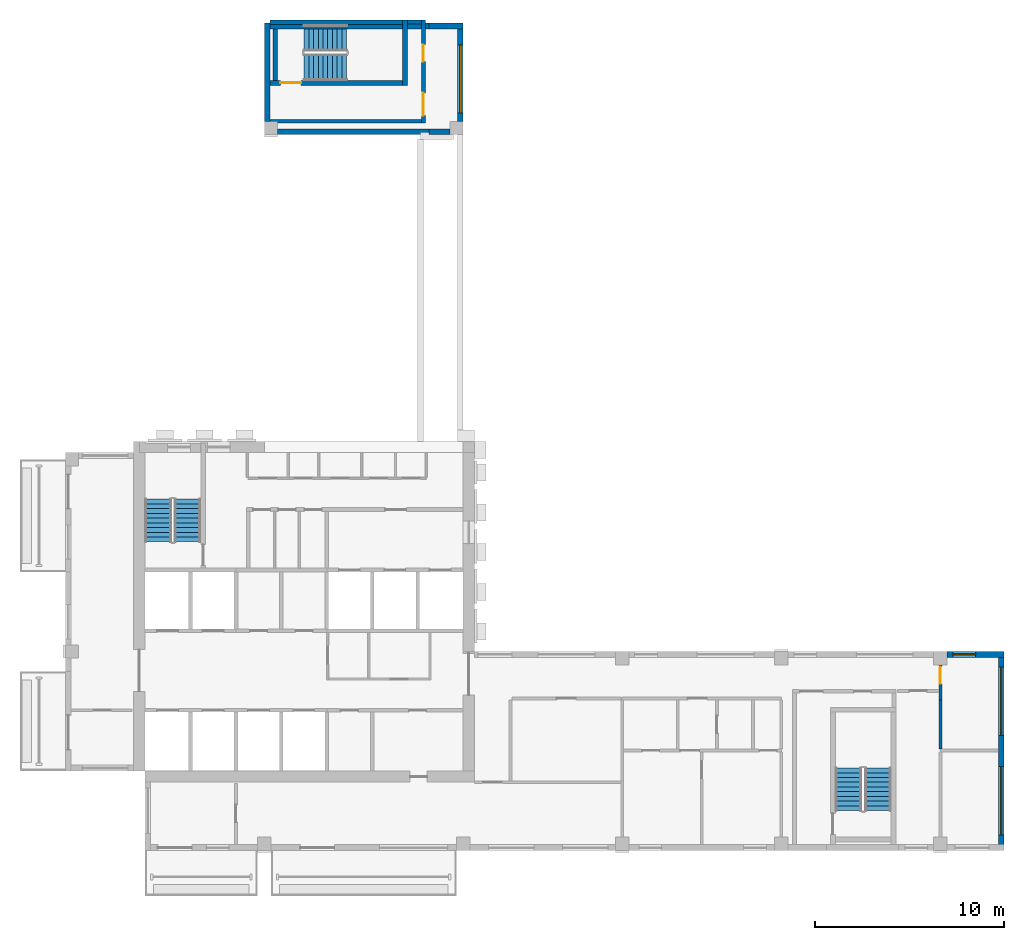
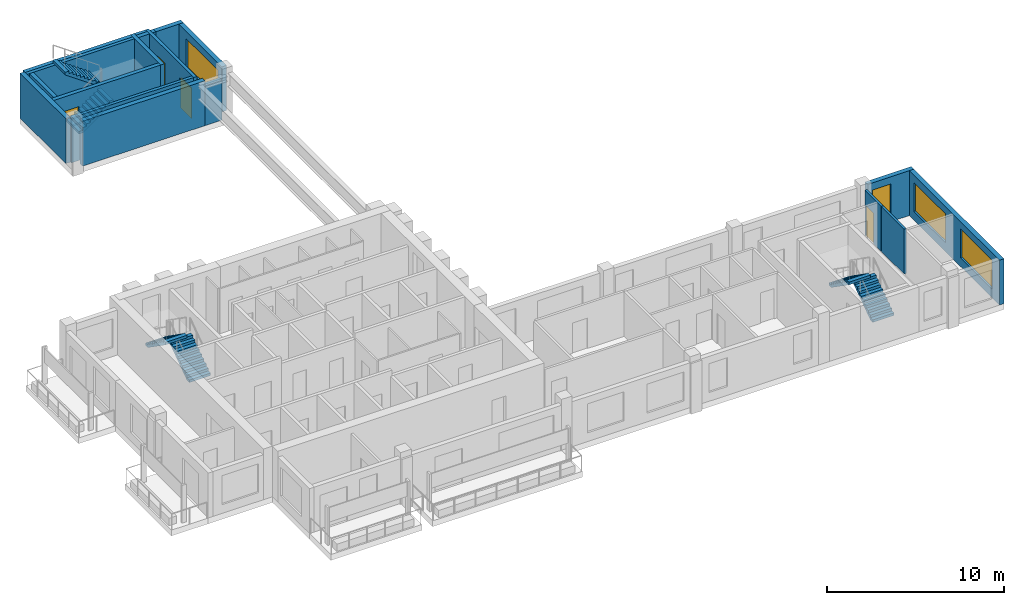
# One storey, part 5 of 9: 17 walls, 6 stair flights, 4 doors, 4 windows, 8 openings, 3 elements without a shape of their own.
"""IFC4 building model written with IfcOpenShell, lengths in metres."""

from ifc_helpers import new_model, si_unit, direction, frame, frame_2d, origin, place, context, subcontext, project, spatial, polyline, rectangle, outline, extrude, source, transform, mapped, material, layer, layer_set, type_object, element, fill, aggregate, save


model = new_model("IFC4")

# Units and contexts
model_context = context("Model", 3, precision=1e-05, world=origin(), true_north=direction((0.0, 1.0)))
body_context = subcontext(model_context, "Body", "Model", "MODEL_VIEW")
ifc_project = project(units=[si_unit("LENGTHUNIT", "METRE"), si_unit("AREAUNIT", "SQUARE_METRE"), si_unit("VOLUMEUNIT", "CUBIC_METRE"), si_unit("PLANEANGLEUNIT", "RADIAN"), si_unit("MASSUNIT", "GRAM", prefix="KILO")], contexts=[model_context])

# Site, building, storey
site_placement = place(None, origin())
site = spatial("IfcSite", under=ifc_project, at=site_placement, CompositionType="ELEMENT")
building_placement = place(site_placement, origin())
building = spatial("IfcBuilding", under=site, at=building_placement, Name="Aurelian Terraces", CompositionType="ELEMENT")
storey_placement = place(building_placement, frame((0.0, 0.0, 312.5)))
storey = spatial("IfcBuildingStorey", under=building, at=storey_placement, Name="L72", CompositionType="ELEMENT", Elevation=312.5)

# Walls
ifc_material_1 = material(Name="Terracotta rainscreen cladding", Category="masonry")
ifc_layer_1 = layer(ifc_material_1, 0.3)
ifc_layer_set_1 = layer_set([ifc_layer_1], Name="EW-300")
wall_type_1 = type_object("IfcWallType", Name="EW-300", PredefinedType="STANDARD", material=ifc_layer_set_1)
wall_1_placement = place(storey_placement, frame((19.2, 37.95, 0.0), z_axis=(0.0, 0.0, 1.0), x_axis=(1.0, 0.0, 0.0)))
element("IfcWall", 1, at=wall_1_placement, inside=storey, type_object=wall_type_1, Name="External wall L72 F15.23", PredefinedType="STANDARD", context=body_context, shape_type="SweptSolid", body=[
    extrude(rectangle(XDim=1.1, YDim=0.3, at=frame_2d((0.55, 0.0))), origin(), (0.0, 0.0, 1.0), 2.7438),
])
ifc_material_2 = material(Name="Gypsum board on steel studs", Category="steel")
ifc_layer_2 = layer(ifc_material_2, 0.15)
ifc_layer_set_2 = layer_set([ifc_layer_2], Name="Fire partition 150")
wall_type_2 = type_object("IfcWallType", Name="Fire partition 150", PredefinedType="PARTITIONING", material=ifc_layer_set_2)
wall_2_placement = place(storey_placement, frame((46.2, 5.35, 0.0), z_axis=(0.0, 0.0, 1.0), x_axis=(0.0, 1.0, 0.0)))
element("IfcWall", 2, at=wall_2_placement, inside=storey, type_object=wall_type_2, Name="Party wall", PredefinedType="PARTITIONING", context=body_context, shape_type="SweptSolid", body=[
    extrude(rectangle(XDim=2.58, YDim=0.15, at=frame_2d((1.29, 0.0))), origin(), (0.0, 0.0, 1.0), 3.1),
])

# Wall, opening, window
shared_shape_1 = source(origin(), body_context, "Body", "SweptSolid", [
    extrude(rectangle(XDim=3.01, YDim=0.3, at=frame_2d((1.505, 0.0))), origin(), (0.0, 0.0, 1.0), 3.1),
])
wall_3_placement = place(storey_placement, frame((49.56, 10.35, 0.0), z_axis=(0.0, 0.0, 1.0), x_axis=(-1.0, 0.0, 0.0)))
wall_3 = element("IfcWall", 3, at=wall_3_placement, inside=storey, type_object=wall_type_1, Name="External wall L72 F03.8", PredefinedType="STANDARD", context=body_context, shape_type="MappedRepresentation", body=[
    mapped(shared_shape_1, transform((0.0, 0.0, 0.0), scale=1.0)),
])
shared_shape_2 = source(origin(), body_context, "Body", "SweptSolid", [
    extrude(rectangle(XDim=1.2, YDim=2.0, at=frame_2d((0.6, 1.0))), frame((0.0, 0.16, 0.0), z_axis=(0.0, -1.0, 0.0), x_axis=(1.0, 0.0, 0.0)), (0.0, 0.0, 1.0), 0.32),
])
opening_1_placement = place(wall_3_placement, frame((1.5, 0.0, 0.6)))
opening_1 = element("IfcOpeningElement", 4, at=opening_1_placement, cuts=wall_3, Name="Opening W1220", PredefinedType="OPENING", context=body_context, shape_type="MappedRepresentation", body=[
    mapped(shared_shape_2, transform((0.0, 0.0, 0.0), scale=1.0)),
])
ifc_material_3 = material(Name="Clear glazing", Category="glass")
window_type_1 = type_object("IfcWindowType", Name="W-1200x2000", PartitioningType="SINGLE_PANEL", PredefinedType="WINDOW", material=ifc_material_3)
shared_shape_3 = source(origin(), body_context, "Body", "SweptSolid", [
    extrude(rectangle(XDim=1.2, YDim=2.0, at=frame_2d((0.6, 1.0))), frame((0.0, 0.03, 0.0), z_axis=(0.0, -1.0, 0.0), x_axis=(1.0, 0.0, 0.0)), (0.0, 0.0, 1.0), 0.06),
])
window_1_placement = place(opening_1_placement, origin())
window_1 = element("IfcWindow", 5, at=window_1_placement, inside=storey, type_object=window_type_1, Name="Window L72 L72-F03-08-0", OverallHeight=2.0, OverallWidth=1.2, PartitioningType="SINGLE_PANEL", PredefinedType="WINDOW", context=body_context, shape_type="MappedRepresentation", body=[
    mapped(shared_shape_3, transform((0.0, 0.0, 0.0), scale=1.0)),
])
fill(opening_1, window_1)

# Wall, openings, windows
shared_shape_4 = source(origin(), body_context, "Body", "SweptSolid", [
    extrude(rectangle(XDim=10.5, YDim=0.3, at=frame_2d((5.25, 0.0))), origin(), (0.0, 0.0, 1.0), 3.1),
])
wall_4_placement = place(storey_placement, frame((49.41, 0.0, 0.0), z_axis=(0.0, 0.0, 1.0), x_axis=(0.0, 1.0, 0.0)))
wall_4 = element("IfcWall", 6, at=wall_4_placement, inside=storey, type_object=wall_type_1, Name="External wall L72 F02.7", PredefinedType="STANDARD", context=body_context, shape_type="MappedRepresentation", body=[
    mapped(shared_shape_4, transform((0.0, 0.0, 0.0), scale=1.0)),
])
shared_shape_5 = source(origin(), body_context, "Body", "SweptSolid", [
    extrude(rectangle(XDim=3.6, YDim=2.0, at=frame_2d((1.8, 1.0))), frame((0.0, 0.16, 0.0), z_axis=(0.0, -1.0, 0.0), x_axis=(1.0, 0.0, 0.0)), (0.0, 0.0, 1.0), 0.32),
])
opening_2_placement = place(wall_4_placement, frame((0.825, 0.0, 0.6)))
opening_2 = element("IfcOpeningElement", 7, at=opening_2_placement, cuts=wall_4, Name="Opening W3620", PredefinedType="OPENING", context=body_context, shape_type="MappedRepresentation", body=[
    mapped(shared_shape_5, transform((0.0, 0.0, 0.0), scale=1.0)),
])
opening_3_placement = place(wall_4_placement, frame((6.075, 0.0, 0.6)))
opening_3 = element("IfcOpeningElement", 8, at=opening_3_placement, cuts=wall_4, Name="Opening W3620", PredefinedType="OPENING", context=body_context, shape_type="MappedRepresentation", body=[
    mapped(shared_shape_5, transform((0.0, 0.0, 0.0), scale=1.0)),
])
window_type_2 = type_object("IfcWindowType", Name="W-3600x2000", PartitioningType="SINGLE_PANEL", PredefinedType="WINDOW", material=ifc_material_3)
shared_shape_6 = source(origin(), body_context, "Body", "SweptSolid", [
    extrude(rectangle(XDim=3.6, YDim=2.0, at=frame_2d((1.8, 1.0))), frame((0.0, 0.03, 0.0), z_axis=(0.0, -1.0, 0.0), x_axis=(1.0, 0.0, 0.0)), (0.0, 0.0, 1.0), 0.06),
])
window_2_placement = place(opening_2_placement, origin())
window_2 = element("IfcWindow", 9, at=window_2_placement, inside=storey, type_object=window_type_2, Name="Window L72 L72-F02-07-0", OverallHeight=2.0, OverallWidth=3.6, PartitioningType="SINGLE_PANEL", PredefinedType="WINDOW", context=body_context, shape_type="MappedRepresentation", body=[
    mapped(shared_shape_6, transform((0.0, 0.0, 0.0), scale=1.0)),
])
fill(opening_2, window_2)
window_3_placement = place(opening_3_placement, origin())
window_3 = element("IfcWindow", 10, at=window_3_placement, inside=storey, type_object=window_type_2, Name="Window L72 L72-F02-07-1", OverallHeight=2.0, OverallWidth=3.6, PartitioningType="SINGLE_PANEL", PredefinedType="WINDOW", context=body_context, shape_type="MappedRepresentation", body=[
    mapped(shared_shape_6, transform((0.0, 0.0, 0.0), scale=1.0)),
])
fill(opening_3, window_3)

# Walls
shared_shape_7 = source(origin(), body_context, "Body", "SweptSolid", [
    extrude(rectangle(XDim=1.8, YDim=0.3, at=frame_2d((0.9, 0.0))), origin(), (0.0, 0.0, 1.0), 3.1),
])
wall_5_placement = place(storey_placement, frame((21.0, 43.53, 0.0), z_axis=(0.0, 0.0, 1.0), x_axis=(-1.0, 0.0, 0.0)))
element("IfcWall", 11, at=wall_5_placement, inside=storey, type_object=wall_type_1, Name="External wall L72 F17.25", PredefinedType="STANDARD", context=body_context, shape_type="MappedRepresentation", body=[
    mapped(shared_shape_7, transform((0.0, 0.0, 0.0), scale=1.0)),
])
ifc_material_4 = material(Name="Concrete fc' 40 MPa", Category="concrete")
ifc_layer_3 = layer(ifc_material_4, 0.3)
ifc_layer_set_3 = layer_set([ifc_layer_3], Name="STAIR BAY WALL 300")
wall_type_3 = type_object("IfcWallType", Name="STAIR BAY WALL 300", PredefinedType="SOLIDWALL", material=ifc_layer_set_3)
shared_shape_8 = source(origin(), body_context, "Body", "SweptSolid", [
    extrude(rectangle(XDim=8.6, YDim=0.3, at=frame_2d((4.3, 0.0))), origin(), (0.0, 0.0, 1.0), 3.1),
])
wall_6_placement = place(storey_placement, frame((19.2, 43.53, 0.0), z_axis=(0.0, 0.0, 1.0), x_axis=(-1.0, 0.0, 0.0)))
element("IfcWall", 12, at=wall_6_placement, inside=storey, type_object=wall_type_3, Name="Stair bay wall L72 F17.25", PredefinedType="SOLIDWALL", context=body_context, shape_type="MappedRepresentation", body=[
    mapped(shared_shape_8, transform((0.0, 0.0, 0.0), scale=1.0)),
])
shared_shape_9 = source(origin(), body_context, "Body", "SweptSolid", [
    extrude(rectangle(XDim=8.0, YDim=0.3, at=frame_2d((4.0, 0.0))), origin(), (0.0, 0.0, 1.0), 3.1),
])
wall_7_placement = place(storey_placement, frame((11.2, 37.95, 0.0), z_axis=(0.0, 0.0, 1.0), x_axis=(1.0, 0.0, 0.0)))
element("IfcWall", 13, at=wall_7_placement, inside=storey, type_object=wall_type_3, Name="Stair bay wall L72 F15.23", PredefinedType="SOLIDWALL", context=body_context, shape_type="MappedRepresentation", body=[
    mapped(shared_shape_9, transform((0.0, 0.0, 0.0), scale=1.0)),
])

# Wall, opening, window
shared_shape_10 = source(origin(), body_context, "Body", "SweptSolid", [
    extrude(rectangle(XDim=5.18, YDim=0.3, at=frame_2d((2.59, 0.0))), origin(), (0.0, 0.0, 1.0), 3.1),
])
wall_8_placement = place(storey_placement, frame((20.85, 38.5, 0.0), z_axis=(0.0, 0.0, 1.0), x_axis=(0.0, 1.0, 0.0)))
wall_8 = element("IfcWall", 14, at=wall_8_placement, inside=storey, type_object=wall_type_1, Name="External wall L72 F16.24", PredefinedType="STANDARD", context=body_context, shape_type="MappedRepresentation", body=[
    mapped(shared_shape_10, transform((0.0, 0.0, 0.0), scale=1.0)),
])
opening_4_placement = place(wall_8_placement, frame((0.44, 0.0, 0.6)))
opening_4 = element("IfcOpeningElement", 15, at=opening_4_placement, cuts=wall_8, Name="Opening W3620", PredefinedType="OPENING", context=body_context, shape_type="MappedRepresentation", body=[
    mapped(shared_shape_5, transform((0.0, 0.0, 0.0), scale=1.0)),
])
window_4_placement = place(opening_4_placement, origin())
window_4 = element("IfcWindow", 16, at=window_4_placement, inside=storey, type_object=window_type_2, Name="Window L72 L72-F16-24-0", OverallHeight=2.0, OverallWidth=3.6, PartitioningType="SINGLE_PANEL", PredefinedType="WINDOW", context=body_context, shape_type="MappedRepresentation", body=[
    mapped(shared_shape_6, transform((0.0, 0.0, 0.0), scale=1.0)),
])
fill(opening_4, window_4)

# Wall
shared_shape_11 = source(origin(), body_context, "Body", "SweptSolid", [
    extrude(rectangle(XDim=5.18, YDim=0.3, at=frame_2d((2.59, 0.0))), origin(), (0.0, 0.0, 1.0), 3.1),
])
wall_9_placement = place(storey_placement, frame((10.65, 43.68, 0.0), z_axis=(0.0, 0.0, 1.0), x_axis=(0.0, -1.0, 0.0)))
element("IfcWall", 17, at=wall_9_placement, inside=storey, type_object=wall_type_3, Name="Stair bay wall L72 F18.26", PredefinedType="SOLIDWALL", context=body_context, shape_type="MappedRepresentation", body=[
    mapped(shared_shape_11, transform((0.0, 0.0, 0.0), scale=1.0)),
])

# Wall, opening, door
ifc_layer_4 = layer(ifc_material_4, 0.25)
ifc_layer_set_4 = layer_set([ifc_layer_4], Name="Stair enclosure wall 250")
wall_type_4 = type_object("IfcWallType", Name="Stair enclosure wall 250", PredefinedType="SOLIDWALL", material=ifc_layer_set_4)
shared_shape_12 = source(origin(), body_context, "Body", "SweptSolid", [
    extrude(rectangle(XDim=7.0, YDim=0.25, at=frame_2d((3.5, 0.0))), origin(), (0.0, 0.0, 1.0), 3.1),
])
wall_10_placement = place(storey_placement, frame((10.8, 40.525, 0.0), z_axis=(0.0, 0.0, 1.0), x_axis=(1.0, 0.0, 0.0)))
wall_10 = element("IfcWall", 18, at=wall_10_placement, inside=storey, type_object=wall_type_4, Name="L72 core wall ST-S3U-W", PredefinedType="SOLIDWALL", context=body_context, shape_type="MappedRepresentation", body=[
    mapped(shared_shape_12, transform((0.0, 0.0, 0.0), scale=1.0)),
])
shared_shape_13 = source(origin(), body_context, "Body", "SweptSolid", [
    extrude(rectangle(XDim=1.1, YDim=2.1, at=frame_2d((0.55, 1.05))), frame((0.0, 0.135, 0.0), z_axis=(0.0, -1.0, 0.0), x_axis=(1.0, 0.0, 0.0)), (0.0, 0.0, 1.0), 0.27),
])
opening_5_placement = place(wall_10_placement, frame((0.55, 0.0, 0.0)))
opening_5 = element("IfcOpeningElement", 19, at=opening_5_placement, cuts=wall_10, Name="Opening 67528", PredefinedType="OPENING", context=body_context, shape_type="MappedRepresentation", body=[
    mapped(shared_shape_13, transform((0.0, 0.0, 0.0), scale=1.0)),
])
ifc_material_5 = material(Name="Steel door leaf", Category="steel")
door_type_1 = type_object("IfcDoorType", Name="Core fire door 1100x2100 right", OperationType="SINGLE_SWING_RIGHT", PredefinedType="DOOR", material=ifc_material_5)
shared_shape_14 = source(origin(), body_context, "Body", "SweptSolid", [
    extrude(rectangle(XDim=1.1, YDim=2.1, at=frame_2d((0.55, 1.05))), frame((0.0, 0.025, 0.0), z_axis=(0.0, -1.0, 0.0), x_axis=(1.0, 0.0, 0.0)), (0.0, 0.0, 1.0), 0.05),
])
door_1_placement = place(opening_5_placement, origin())
door_1 = element("IfcDoor", 20, at=door_1_placement, inside=storey, type_object=door_type_1, Name="Stair door 67528", OperationType="SINGLE_SWING_RIGHT", OverallHeight=2.1, OverallWidth=1.1, PredefinedType="DOOR", context=body_context, shape_type="MappedRepresentation", body=[
    mapped(shared_shape_14, transform((0.0, 0.0, 0.0), scale=1.0)),
])
fill(opening_5, door_1)

# Walls
wall_11_placement = place(storey_placement, frame((10.8, 43.725, 0.0), z_axis=(0.0, 0.0, 1.0), x_axis=(1.0, 0.0, 0.0)))
element("IfcWall", 21, at=wall_11_placement, inside=storey, type_object=wall_type_4, Name="L72 core wall ST-S3U-E", PredefinedType="SOLIDWALL", context=body_context, shape_type="MappedRepresentation", body=[
    mapped(shared_shape_12, transform((0.0, 0.0, 0.0), scale=1.0)),
])
shared_shape_15 = source(origin(), body_context, "Body", "SweptSolid", [
    extrude(rectangle(XDim=3.45, YDim=0.25, at=frame_2d((1.725, 0.0))), origin(), (0.0, 0.0, 1.0), 3.1),
])
wall_12_placement = place(storey_placement, frame((17.925, 40.4, 0.0), z_axis=(0.0, 0.0, 1.0), x_axis=(0.0, 1.0, 0.0)))
element("IfcWall", 22, at=wall_12_placement, inside=storey, type_object=wall_type_4, Name="L72 core wall ST-S3U-N", PredefinedType="SOLIDWALL", context=body_context, shape_type="MappedRepresentation", body=[
    mapped(shared_shape_15, transform((0.0, 0.0, 0.0), scale=1.0)),
])
ifc_layer_5 = layer(ifc_material_2, 0.2)
ifc_layer_set_5 = layer_set([ifc_layer_5], Name="Core partition 200")
wall_type_5 = type_object("IfcWallType", Name="Core partition 200", PredefinedType="PARTITIONING", material=ifc_layer_set_5)
shared_shape_16 = source(origin(), body_context, "Body", "SweptSolid", [
    extrude(rectangle(XDim=8.0, YDim=0.2, at=frame_2d((4.0, 0.0))), origin(), (0.0, 0.0, 1.0), 3.1),
])
wall_13_placement = place(storey_placement, frame((10.8, 38.5, 0.0), z_axis=(0.0, 0.0, 1.0), x_axis=(1.0, 0.0, 0.0)))
element("IfcWall", 23, at=wall_13_placement, inside=storey, type_object=wall_type_5, Name="L72 core wall ST-S3U-VW", PredefinedType="PARTITIONING", context=body_context, shape_type="MappedRepresentation", body=[
    mapped(shared_shape_16, transform((0.0, 0.0, 0.0), scale=1.0)),
])

# Wall, openings, doors
shared_shape_17 = source(origin(), body_context, "Body", "SweptSolid", [
    extrude(rectangle(XDim=5.45, YDim=0.2, at=frame_2d((2.725, 0.0))), origin(), (0.0, 0.0, 1.0), 3.1),
])
wall_14_placement = place(storey_placement, frame((18.9, 38.4, 0.0), z_axis=(0.0, 0.0, 1.0), x_axis=(0.0, 1.0, 0.0)))
wall_14 = element("IfcWall", 24, at=wall_14_placement, inside=storey, type_object=wall_type_5, Name="L72 core wall ST-S3U-BN", PredefinedType="PARTITIONING", context=body_context, shape_type="MappedRepresentation", body=[
    mapped(shared_shape_17, transform((0.0, 0.0, 0.0), scale=1.0)),
])
shared_shape_18 = source(origin(), body_context, "Body", "SweptSolid", [
    extrude(rectangle(XDim=1.2, YDim=2.1, at=frame_2d((0.6, 1.05))), frame((0.0, 0.11, 0.0), z_axis=(0.0, -1.0, 0.0), x_axis=(1.0, 0.0, 0.0)), (0.0, 0.0, 1.0), 0.22),
])
opening_6_placement = place(wall_14_placement, frame((0.4, 0.0, 0.0)))
opening_6 = element("IfcOpeningElement", 25, at=opening_6_placement, cuts=wall_14, Name="Opening 67529", PredefinedType="OPENING", context=body_context, shape_type="MappedRepresentation", body=[
    mapped(shared_shape_18, transform((0.0, 0.0, 0.0), scale=1.0)),
])
shared_shape_19 = source(origin(), body_context, "Body", "SweptSolid", [
    extrude(rectangle(XDim=0.9, YDim=2.1, at=frame_2d((0.45, 1.05))), frame((0.0, 0.11, 0.0), z_axis=(0.0, -1.0, 0.0), x_axis=(1.0, 0.0, 0.0)), (0.0, 0.0, 1.0), 0.22),
])
opening_7_placement = place(wall_14_placement, frame((3.25, 0.0, 0.0)))
opening_7 = element("IfcOpeningElement", 26, at=opening_7_placement, cuts=wall_14, Name="Opening 67530", PredefinedType="OPENING", context=body_context, shape_type="MappedRepresentation", body=[
    mapped(shared_shape_19, transform((0.0, 0.0, 0.0), scale=1.0)),
])
door_type_2 = type_object("IfcDoorType", Name="Core riser door 900x2100 right", OperationType="SINGLE_SWING_RIGHT", PredefinedType="DOOR", material=ifc_material_5)
shared_shape_20 = source(origin(), body_context, "Body", "SweptSolid", [
    extrude(rectangle(XDim=0.9, YDim=2.1, at=frame_2d((0.45, 1.05))), frame((0.0, 0.025, 0.0), z_axis=(0.0, -1.0, 0.0), x_axis=(1.0, 0.0, 0.0)), (0.0, 0.0, 1.0), 0.05),
])
door_2_placement = place(opening_7_placement, origin())
door_2 = element("IfcDoor", 27, at=door_2_placement, inside=storey, type_object=door_type_2, Name="Riser door 67530", OperationType="SINGLE_SWING_RIGHT", OverallHeight=2.1, OverallWidth=0.9, PredefinedType="DOOR", context=body_context, shape_type="MappedRepresentation", body=[
    mapped(shared_shape_20, transform((0.0, 0.0, 0.0), scale=1.0)),
])
fill(opening_7, door_2)
door_type_3 = type_object("IfcDoorType", Name="Core fire door 1200x2100", OperationType="SINGLE_SWING_LEFT", PredefinedType="DOOR", material=ifc_material_5)
shared_shape_21 = source(origin(), body_context, "Body", "SweptSolid", [
    extrude(rectangle(XDim=1.2, YDim=2.1, at=frame_2d((0.6, 1.05))), frame((0.0, 0.025, 0.0), z_axis=(0.0, -1.0, 0.0), x_axis=(1.0, 0.0, 0.0)), (0.0, 0.0, 1.0), 0.05),
])
door_3_placement = place(opening_6_placement, origin())
door_3 = element("IfcDoor", 28, at=door_3_placement, inside=storey, type_object=door_type_3, Name="Vestibule door 67529", OperationType="SINGLE_SWING_LEFT", OverallHeight=2.1, OverallWidth=1.2, PredefinedType="DOOR", context=body_context, shape_type="MappedRepresentation", body=[
    mapped(shared_shape_21, transform((0.0, 0.0, 0.0), scale=1.0)),
])
fill(opening_6, door_3)

# Walls
shared_shape_22 = source(origin(), body_context, "Body", "SweptSolid", [
    extrude(rectangle(XDim=0.75, YDim=0.2, at=frame_2d((0.375, 0.0))), origin(), (0.0, 0.0, 1.0), 3.1),
])
wall_15_placement = place(storey_placement, frame((18.05, 43.75, 0.0), z_axis=(0.0, 0.0, 1.0), x_axis=(1.0, 0.0, 0.0)))
element("IfcWall", 29, at=wall_15_placement, inside=storey, type_object=wall_type_5, Name="L72 core wall ST-S3U-RE", PredefinedType="PARTITIONING", context=body_context, shape_type="MappedRepresentation", body=[
    mapped(shared_shape_22, transform((0.0, 0.0, 0.0), scale=1.0)),
])
shared_shape_23 = source(origin(), body_context, "Body", "SweptSolid", [
    extrude(rectangle(XDim=2.73, YDim=0.25, at=frame_2d((1.365, 0.0))), origin(), (0.0, 0.0, 1.0), 3.1),
])
wall_16_placement = place(storey_placement, frame((11.075, 40.65, 0.0), z_axis=(0.0, 0.0, 1.0), x_axis=(0.0, 1.0, 0.0)))
element("IfcWall", 30, at=wall_16_placement, inside=storey, type_object=wall_type_4, Name="L72 core wall ST-S3U-SS", PredefinedType="SOLIDWALL", context=body_context, shape_type="MappedRepresentation", body=[
    mapped(shared_shape_23, transform((0.0, 0.0, 0.0), scale=1.0)),
])

# Wall, opening, door
ifc_layer_6 = layer(ifc_material_2, 0.15)
ifc_layer_set_6 = layer_set([ifc_layer_6], Name="Partition 150")
wall_type_6 = type_object("IfcWallType", Name="Partition 150", PredefinedType="PARTITIONING", material=ifc_layer_set_6)
shared_shape_24 = source(origin(), body_context, "Body", "SweptSolid", [
    extrude(rectangle(XDim=1.851, YDim=0.15, at=frame_2d((0.9255, 0.0))), origin(), (0.0, 0.0, 1.0), 3.1),
])
wall_17_placement = place(storey_placement, frame((46.2, 9.801, 0.0), z_axis=(0.0, 0.0, 1.0), x_axis=(0.0, -1.0, 0.0)))
wall_17 = element("IfcWall", 31, at=wall_17_placement, inside=storey, type_object=wall_type_6, Name="Partition", PredefinedType="PARTITIONING", context=body_context, shape_type="MappedRepresentation", body=[
    mapped(shared_shape_24, transform((0.0, 0.0, 0.0), scale=1.0)),
])
shared_shape_25 = source(origin(), body_context, "Body", "SweptSolid", [
    extrude(rectangle(XDim=0.9, YDim=2.1, at=frame_2d((0.45, 1.05))), frame((0.0, 0.085, 0.0), z_axis=(0.0, -1.0, 0.0), x_axis=(1.0, 0.0, 0.0)), (0.0, 0.0, 1.0), 0.17),
])
opening_8_placement = place(wall_17_placement, frame((0.101, 0.0, 0.0)))
opening_8 = element("IfcOpeningElement", 32, at=opening_8_placement, cuts=wall_17, Name="Opening 772011", PredefinedType="OPENING", context=body_context, shape_type="MappedRepresentation", body=[
    mapped(shared_shape_25, transform((0.0, 0.0, 0.0), scale=1.0)),
])
ifc_material_6 = material(Name="Timber door leaf", Category="wood")
door_type_4 = type_object("IfcDoorType", Name="Room door 900x2100 left", OperationType="SINGLE_SWING_LEFT", PredefinedType="DOOR", material=ifc_material_6)
door_4_placement = place(opening_8_placement, origin())
door_4 = element("IfcDoor", 33, at=door_4_placement, inside=storey, type_object=door_type_4, Name="Door 772011", OperationType="SINGLE_SWING_LEFT", OverallHeight=2.1, OverallWidth=0.9, PredefinedType="DOOR", context=body_context, shape_type="MappedRepresentation", body=[
    mapped(shared_shape_20, transform((0.0, 0.0, 0.0), scale=1.0)),
])
fill(opening_8, door_4)

# Stair, stair flights
stair_type = type_object("IfcStairType", Name="Stair 1400", PredefinedType="HALF_TURN_STAIR", material=ifc_material_4)
stair_1_placement = place(storey_placement, origin())
stair_1 = element("IfcStair", 34, at=stair_1_placement, inside=storey, type_object=stair_type, Name="L72 S1", PredefinedType="HALF_TURN_STAIR")
stair_flight_type = type_object("IfcStairFlightType", Name="Stair flight 1400", PredefinedType="STRAIGHT", material=ifc_material_4)
shared_shape_26 = source(origin(), body_context, "Body", "SweptSolid", [
    extrude(outline(polyline([(0.0, 0.0), (0.0, 0.175), (0.25, 0.175), (0.25, 0.35), (0.5, 0.35), (0.5, 0.525), (0.75, 0.525), (0.75, 0.7), (1.0, 0.7), (1.0, 0.875), (1.25, 0.875), (1.25, 1.05), (1.5, 1.05), (1.5, 1.225), (1.75, 1.225), (1.75, 1.4), (2.0, 1.4), (2.0, 1.575), (2.25, 1.575), (2.25, 1.75), (2.25, 1.3919), (0.2616, 0.0), (0.0, 0.0)])), frame((0.0, 0.7, 0.0), z_axis=(0.0, -1.0, 0.0), x_axis=(1.0, 0.0, 0.0)), (0.0, 0.0, 1.0), 1.4),
])
stair_flight_1_placement = place(storey_placement, frame((6.45, 16.3, 2e-08), z_axis=(0.0, 0.0, 1.0), x_axis=(0.0, 1.0, 0.0)))
stair_flight_1 = element("IfcStairFlight", 35, at=stair_flight_1_placement, type_object=stair_flight_type, Name="S1 flight 1", NumberOfRisers=10, NumberOfTreads=9, PredefinedType="STRAIGHT", RiserHeight=0.175, TreadLength=0.25, context=body_context, shape_type="MappedRepresentation", body=[
    mapped(shared_shape_26, transform((0.0, 0.0, 0.0), scale=1.0)),
])
stair_flight_2_placement = place(storey_placement, frame((4.9, 18.55, 1.75000002), z_axis=(0.0, 0.0, 1.0), x_axis=(0.0, -1.0, 0.0)))
stair_flight_2 = element("IfcStairFlight", 36, at=stair_flight_2_placement, type_object=stair_flight_type, Name="S1 flight 2", NumberOfRisers=10, NumberOfTreads=9, PredefinedType="STRAIGHT", RiserHeight=0.175, TreadLength=0.25, context=body_context, shape_type="MappedRepresentation", body=[
    mapped(shared_shape_26, transform((0.0, 0.0, 0.0), scale=1.0)),
])
aggregate(stair_1, [stair_flight_1, stair_flight_2])

stair_2_placement = place(storey_placement, origin())
stair_2 = element("IfcStair", 37, at=stair_2_placement, inside=storey, type_object=stair_type, Name="L72 S2", PredefinedType="HALF_TURN_STAIR")
stair_flight_3_placement = place(storey_placement, frame((42.9, 2.1, 2e-08), z_axis=(0.0, 0.0, 1.0), x_axis=(0.0, 1.0, 0.0)))
stair_flight_3 = element("IfcStairFlight", 38, at=stair_flight_3_placement, type_object=stair_flight_type, Name="S2 flight 1", NumberOfRisers=10, NumberOfTreads=9, PredefinedType="STRAIGHT", RiserHeight=0.175, TreadLength=0.25, context=body_context, shape_type="MappedRepresentation", body=[
    mapped(shared_shape_26, transform((0.0, 0.0, 0.0), scale=1.0)),
])
stair_flight_4_placement = place(storey_placement, frame((41.35, 4.35, 1.75000002), z_axis=(0.0, 0.0, 1.0), x_axis=(0.0, -1.0, 0.0)))
stair_flight_4 = element("IfcStairFlight", 39, at=stair_flight_4_placement, type_object=stair_flight_type, Name="S2 flight 2", NumberOfRisers=10, NumberOfTreads=9, PredefinedType="STRAIGHT", RiserHeight=0.175, TreadLength=0.25, context=body_context, shape_type="MappedRepresentation", body=[
    mapped(shared_shape_26, transform((0.0, 0.0, 0.0), scale=1.0)),
])
aggregate(stair_2, [stair_flight_3, stair_flight_4])

stair_3_placement = place(storey_placement, origin())
stair_3 = element("IfcStair", 40, at=stair_3_placement, inside=storey, type_object=stair_type, Name="L72 S3U", PredefinedType="HALF_TURN_STAIR")
stair_flight_5_placement = place(storey_placement, frame((12.6, 41.35, 2e-08), z_axis=(0.0, 0.0, 1.0), x_axis=(1.0, 0.0, 0.0)))
stair_flight_5 = element("IfcStairFlight", 41, at=stair_flight_5_placement, type_object=stair_flight_type, Name="S3U flight 1", NumberOfRisers=10, NumberOfTreads=9, PredefinedType="STRAIGHT", RiserHeight=0.175, TreadLength=0.25, context=body_context, shape_type="MappedRepresentation", body=[
    mapped(shared_shape_26, transform((0.0, 0.0, 0.0), scale=1.0)),
])
stair_flight_6_placement = place(storey_placement, frame((14.85, 42.9, 1.75000002), z_axis=(0.0, 0.0, 1.0), x_axis=(-1.0, 0.0, 0.0)))
stair_flight_6 = element("IfcStairFlight", 42, at=stair_flight_6_placement, type_object=stair_flight_type, Name="S3U flight 2", NumberOfRisers=10, NumberOfTreads=9, PredefinedType="STRAIGHT", RiserHeight=0.175, TreadLength=0.25, context=body_context, shape_type="MappedRepresentation", body=[
    mapped(shared_shape_26, transform((0.0, 0.0, 0.0), scale=1.0)),
])
aggregate(stair_3, [stair_flight_5, stair_flight_6])

save(model, "model.ifc")
